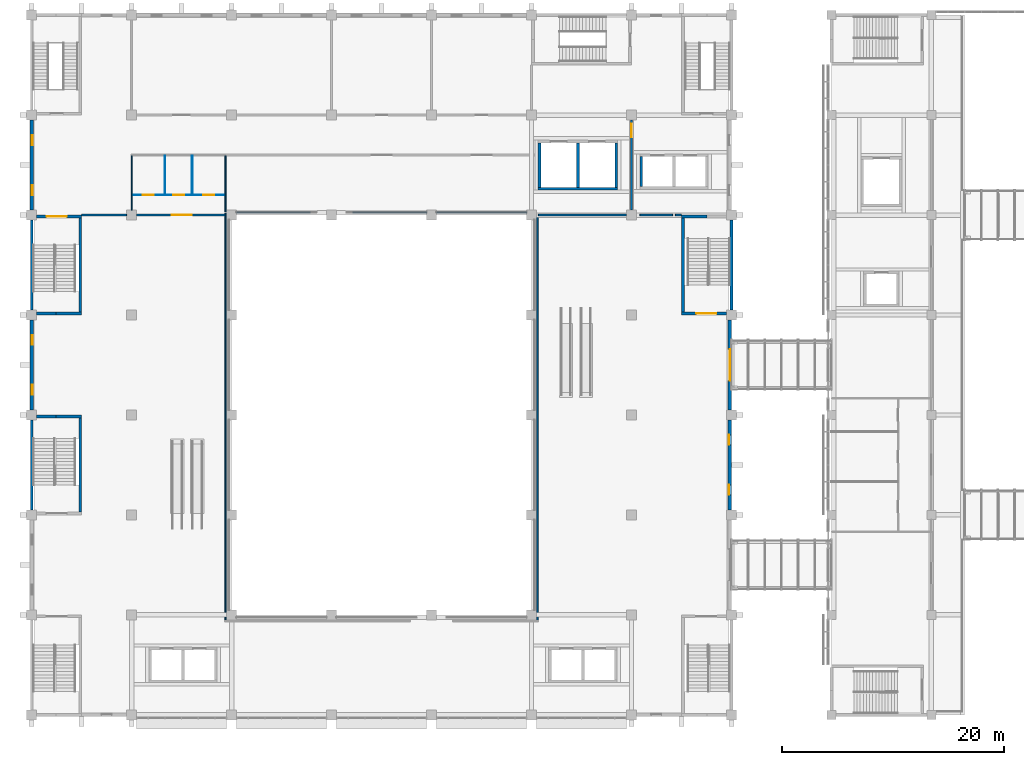
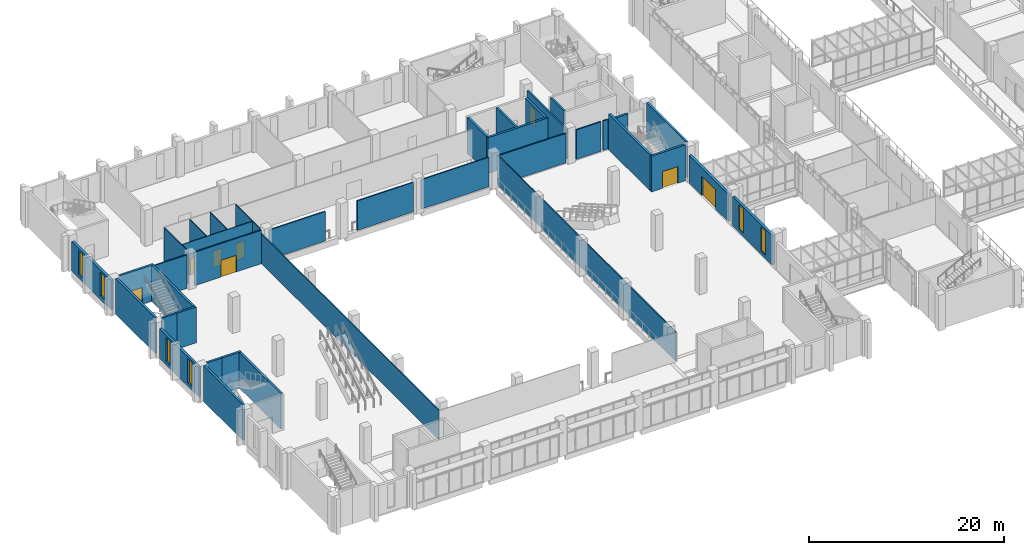
# One storey, part 59 of 88: 38 walls, 8 doors, 6 windows, 14 openings.
"""IFC4 building model written with IfcOpenShell, lengths in metres."""

from ifc_helpers import new_model, si_unit, direction, frame, frame_2d, origin, place, context, subcontext, project, spatial, rectangle, extrude, material, layer, layer_set, type_object, element, fill, save


model = new_model("IFC4")

# Units and contexts
model_context = context("Model", 3, precision=1e-05, world=origin(), true_north=direction((0.0, 1.0)))
body_context = subcontext(model_context, "Body", "Model", "MODEL_VIEW")
ifc_project = project(units=[si_unit("LENGTHUNIT", "METRE"), si_unit("AREAUNIT", "SQUARE_METRE"), si_unit("VOLUMEUNIT", "CUBIC_METRE"), si_unit("PLANEANGLEUNIT", "RADIAN"), si_unit("MASSUNIT", "GRAM", prefix="KILO")], contexts=[model_context])

# Site, building, storey
site_placement = place(None, origin())
site = spatial("IfcSite", under=ifc_project, at=site_placement, CompositionType="ELEMENT")
building_placement = place(site_placement, origin())
building = spatial("IfcBuilding", under=site, at=building_placement, Name="Guidao Yard Department Store", CompositionType="ELEMENT")
storey_placement = place(building_placement, frame((0.0, 0.0, 6.0)))
storey = spatial("IfcBuildingStorey", under=building, at=storey_placement, Name="L01", CompositionType="ELEMENT", Elevation=6.0)

# Wall, openings, doors
ifc_material_1 = material(Name="Moisture-resistant board on Steel Q235 studs", Category="steel")
ifc_layer_1 = layer(ifc_material_1, 0.080078125)
ifc_layer_set_1 = layer_set([ifc_layer_1], Name="Cubicle and Duct Partition P8 80 mm moisture-resistant board")
wall_type_1 = type_object("IfcWallType", Name="Cubicle and Duct Partition P8 80 mm moisture-resistant board", PredefinedType="PARTITIONING", material=ifc_layer_set_1)
wall_1_placement = place(storey_placement, frame((9.050048828125, 91.800048828125, 0.0), z_axis=(0.0, 0.0, 1.0), x_axis=(1.0, 0.0, 0.0)))
wall_1 = element("IfcWall", 1, at=wall_1_placement, inside=storey, type_object=wall_type_1, Name="Wall W-HL01-016", PredefinedType="PARTITIONING", context=body_context, shape_type="SweptSolid", body=[
    extrude(rectangle(XDim=8.349853515625, YDim=0.080078125, at=frame_2d((4.1748046875, 0.0))), origin(), (0.0, 0.0, 1.0), 4.199951171875),
])
opening_1_placement = place(wall_1_placement, frame((0.949951171875, 0.0, 0.0)))
opening_1 = element("IfcOpeningElement", 2, at=opening_1_placement, cuts=wall_1, Name="Opening HL01-002", PredefinedType="OPENING", context=body_context, shape_type="SweptSolid", body=[
    extrude(rectangle(XDim=1.0, YDim=2.10009765625, at=frame_2d((0.5, 1.050048828125))), frame((0.0, 0.050048828125, 0.0), z_axis=(0.0, -1.0, 0.0), x_axis=(1.0, 0.0, 0.0)), (0.0, 0.0, 1.0), 0.10009765625),
])
opening_2_placement = place(wall_1_placement, frame((3.675048828125, 0.0, 0.0)))
opening_2 = element("IfcOpeningElement", 3, at=opening_2_placement, cuts=wall_1, Name="Opening HL01-003", PredefinedType="OPENING", context=body_context, shape_type="SweptSolid", body=[
    extrude(rectangle(XDim=1.0, YDim=2.10009765625, at=frame_2d((0.5, 1.050048828125))), frame((0.0, 0.050048828125, 0.0), z_axis=(0.0, -1.0, 0.0), x_axis=(1.0, 0.0, 0.0)), (0.0, 0.0, 1.0), 0.10009765625),
])
opening_3_placement = place(wall_1_placement, frame((6.39990234375, 0.0, 0.0)))
opening_3 = element("IfcOpeningElement", 4, at=opening_3_placement, cuts=wall_1, Name="Opening HL01-004", PredefinedType="OPENING", context=body_context, shape_type="SweptSolid", body=[
    extrude(rectangle(XDim=1.0, YDim=2.10009765625, at=frame_2d((0.5, 1.050048828125))), frame((0.0, 0.050048828125, 0.0), z_axis=(0.0, -1.0, 0.0), x_axis=(1.0, 0.0, 0.0)), (0.0, 0.0, 1.0), 0.10009765625),
])
ifc_material_2 = material(Name="Timber door leaf", Category="wood")
door_type_1 = type_object("IfcDoorType", Name="Door AD10 accessible WC 1000 x 2100", OperationType="SINGLE_SWING_LEFT", PredefinedType="DOOR", material=ifc_material_2)
door_1_placement = place(opening_2_placement, origin())
door_1 = element("IfcDoor", 5, at=door_1_placement, inside=storey, type_object=door_type_1, Name="Door HL01-003", OperationType="SINGLE_SWING_LEFT", OverallHeight=2.10009765625, OverallWidth=1.0, PredefinedType="DOOR", context=body_context, shape_type="SweptSolid", body=[
    extrude(rectangle(XDim=1.0, YDim=2.10009765625, at=frame_2d((0.5, 1.050048828125))), frame((0.0, 0.02490234375, 0.0), z_axis=(0.0, -1.0, 0.0), x_axis=(1.0, 0.0, 0.0)), (0.0, 0.0, 1.0), 0.050048828125),
])
fill(opening_2, door_1)
ifc_material_3 = material(Name="Timber door leaf", Category="wood")
door_type_2 = type_object("IfcDoorType", Name="Door D2 1000 x 2100", OperationType="SINGLE_SWING_LEFT", PredefinedType="DOOR", material=ifc_material_3)
door_2_placement = place(opening_1_placement, origin())
door_2 = element("IfcDoor", 6, at=door_2_placement, inside=storey, type_object=door_type_2, Name="Door HL01-002", OperationType="SINGLE_SWING_LEFT", OverallHeight=2.10009765625, OverallWidth=1.0, PredefinedType="DOOR", context=body_context, shape_type="SweptSolid", body=[
    extrude(rectangle(XDim=1.0, YDim=2.10009765625, at=frame_2d((0.5, 1.050048828125))), frame((0.0, 0.02490234375, 0.0), z_axis=(0.0, -1.0, 0.0), x_axis=(1.0, 0.0, 0.0)), (0.0, 0.0, 1.0), 0.050048828125),
])
fill(opening_1, door_2)
door_3_placement = place(opening_3_placement, origin())
door_3 = element("IfcDoor", 7, at=door_3_placement, inside=storey, type_object=door_type_2, Name="Door HL01-004", OperationType="SINGLE_SWING_RIGHT", OverallHeight=2.10009765625, OverallWidth=1.0, PredefinedType="DOOR", context=body_context, shape_type="SweptSolid", body=[
    extrude(rectangle(XDim=1.0, YDim=2.10009765625, at=frame_2d((0.5, 1.050048828125))), frame((0.0, 0.02490234375, 0.0), z_axis=(0.0, -1.0, 0.0), x_axis=(1.0, 0.0, 0.0)), (0.0, 0.0, 1.0), 0.050048828125),
])
fill(opening_3, door_3)

# Walls
for number, where, z_axis, x_axis, name in (
    (8, (12.0, 91.840087890625, 0.0), (0.0, 0.0, 1.0), (0.0, 1.0, 0.0), "Wall W-HL01-017"),
    (9, (14.449951171875, 91.840087890625, 0.0), (0.0, 0.0, 1.0), (0.0, 1.0, 0.0), "Wall W-HL01-018"),
):
    element("IfcWall", number, at=place(storey_placement, frame(where, z_axis=z_axis, x_axis=x_axis)), inside=storey, type_object=wall_type_1, Name=name, PredefinedType="PARTITIONING", context=body_context, shape_type="SweptSolid", body=[
        extrude(rectangle(XDim=3.510009765625, YDim=0.080078125, at=frame_2d((1.7548828125, 0.0))), origin(), (0.0, 0.0, 1.0), 4.199951171875),
    ])

# Wall, opening, door
ifc_material_4 = material(Name="Concrete block MU10", Category="concrete")
ifc_layer_2 = layer(ifc_material_4, 0.199951171875)
ifc_layer_set_2 = layer_set([ifc_layer_2], Name="Fire Wall P3 200 mm blockwork EI 120")
wall_type_2 = type_object("IfcWallType", Name="Fire Wall P3 200 mm blockwork EI 120", PredefinedType="PARTITIONING", material=ifc_layer_set_2)
wall_2_placement = place(storey_placement, frame((54.0, 90.449951171875, 0.0), z_axis=(0.0, 0.0, 1.0), x_axis=(0.0, 1.0, 0.0)))
wall_2 = element("IfcWall", 10, at=wall_2_placement, inside=storey, type_object=wall_type_2, Name="Wall W-HL01-015", PredefinedType="PARTITIONING", context=body_context, shape_type="SweptSolid", body=[
    extrude(rectangle(XDim=8.10009765625, YDim=0.199951171875, at=frame_2d((4.050048828125, 0.0))), origin(), (0.0, 0.0, 1.0), 3.699951171875),
])
opening_4_placement = place(wall_2_placement, frame((7.75, 0.0, 0.0), z_axis=(0.0, 0.0, 1.0), x_axis=(-1.0, 0.0, 0.0)))
opening_4 = element("IfcOpeningElement", 11, at=opening_4_placement, cuts=wall_2, Name="Opening HL01-007", PredefinedType="OPENING", context=body_context, shape_type="SweptSolid", body=[
    extrude(rectangle(XDim=1.199951171875, YDim=2.10009765625, at=frame_2d((0.60009765625, 1.050048828125))), frame((0.0, 0.10986328125, 0.0), z_axis=(0.0, -1.0, 0.0), x_axis=(1.0, 0.0, 0.0)), (0.0, 0.0, 1.0), 0.219970703125),
])
ifc_material_5 = material(Name="Steel Q235", Category="steel")
door_type_3 = type_object("IfcDoorType", Name="Door FD21 lobby 1200 x 2100 FD90 self-closing", OperationType="SINGLE_SWING_LEFT", PredefinedType="DOOR", material=ifc_material_5)
door_4_placement = place(opening_4_placement, origin())
door_4 = element("IfcDoor", 12, at=door_4_placement, inside=storey, type_object=door_type_3, Name="Door HL01-007", OperationType="SINGLE_SWING_LEFT", OverallHeight=2.10009765625, OverallWidth=1.199951171875, PredefinedType="DOOR", context=body_context, shape_type="SweptSolid", body=[
    extrude(rectangle(XDim=1.199951171875, YDim=2.10009765625, at=frame_2d((0.60009765625, 1.050048828125))), frame((0.0, 0.02490234375, 0.0), z_axis=(0.0, -1.0, 0.0), x_axis=(1.0, 0.0, 0.0)), (0.0, 0.0, 1.0), 0.050048828125),
])
fill(opening_4, door_4)

# Walls
ifc_material_6 = material(Name="Fire-rated glazing in Steel Q235 frame", Category="steel")
ifc_layer_3 = layer(ifc_material_6, 0.1201171875)
ifc_layer_set_3 = layer_set([ifc_layer_3], Name="Fire-Glazed Screen P5 120 mm EI 60")
wall_type_3 = type_object("IfcWallType", Name="Fire-Glazed Screen P5 120 mm EI 60", PredefinedType="PARTITIONING", material=ifc_layer_set_3)
for number, where, z_axis, x_axis, name in (
    (13, (17.449951171875, 53.510009765625, 0.0), (0.0, 0.0, 1.0), (0.0, 1.0, 0.0), "Wall W-HL01-003"),
    (14, (45.550048828125, 53.510009765625, 0.0), (0.0, 0.0, 1.0), (0.0, 1.0, 0.0), "Wall W-HL01-004"),
):
    element("IfcWall", number, at=place(storey_placement, frame(where, z_axis=z_axis, x_axis=x_axis)), inside=storey, type_object=wall_type_3, Name=name, PredefinedType="PARTITIONING", context=body_context, shape_type="SweptSolid", body=[
        extrude(rectangle(XDim=36.655029296875, YDim=0.1201171875, at=frame_2d((18.32763671875, 0.0))), origin(), (0.0, 0.0, 1.0), 3.699951171875),
    ])
for number, where, z_axis, x_axis, name in (
    (15, (18.449951171875, 90.22509765625, 0.0), (0.0, 0.0, 1.0), (1.0, 0.0, 0.0), "Wall W-HL01-010"),
    (16, (28.89990234375, 90.22509765625, 0.0), (0.0, 0.0, 1.0), (1.0, 0.0, 0.0), "Wall W-HL01-011"),
):
    element("IfcWall", number, at=place(storey_placement, frame(where, z_axis=z_axis, x_axis=x_axis)), inside=storey, type_object=wall_type_3, Name=name, PredefinedType="PARTITIONING", context=body_context, shape_type="SweptSolid", body=[
        extrude(rectangle(XDim=6.650146484375, YDim=0.1201171875, at=frame_2d((3.3251953125, 0.0))), origin(), (0.0, 0.0, 1.0), 3.699951171875),
    ])
wall_3_placement = place(storey_placement, frame((36.449951171875, 90.22509765625, 0.0), z_axis=(0.0, 0.0, 1.0), x_axis=(1.0, 0.0, 0.0)))
element("IfcWall", 17, at=wall_3_placement, inside=storey, type_object=wall_type_3, Name="Wall W-HL01-012", PredefinedType="PARTITIONING", context=body_context, shape_type="SweptSolid", body=[
    extrude(rectangle(XDim=8.10009765625, YDim=0.1201171875, at=frame_2d((4.050048828125, 0.0))), origin(), (0.0, 0.0, 1.0), 3.699951171875),
])

# Wall, openings, windows
ifc_material_7 = material(Name="Concrete C35", Category="concrete")
ifc_layer_4 = layer(ifc_material_7, 0.300048828125)
ifc_layer_set_4 = layer_set([ifc_layer_4], Name="Hall facade wall 300 C35")
wall_type_4 = type_object("IfcWallType", Name="Hall facade wall 300 C35", PredefinedType="SOLIDWALL", material=ifc_layer_set_4)
wall_4_placement = place(storey_placement, frame((0.0, 72.449951171875, 0.0), z_axis=(0.0, 0.0, 1.0), x_axis=(0.0, 1.0, 0.0)))
wall_4 = element("IfcWall", 18, at=wall_4_placement, inside=storey, type_object=wall_type_4, Name="Hall facade wall", PredefinedType="SOLIDWALL", context=body_context, shape_type="SweptSolid", body=[
    extrude(rectangle(XDim=8.10009765625, YDim=0.300048828125, at=frame_2d((4.050048828125, 0.0))), origin(), (0.0, 0.0, 1.0), 3.699951171875),
])
opening_5_placement = place(wall_4_placement, frame((1.35009765625, 0.0, 0.449951171875)))
opening_5 = element("IfcOpeningElement", 19, at=opening_5_placement, cuts=wall_4, Name="Opening WN-L01-E05", PredefinedType="OPENING", context=body_context, shape_type="SweptSolid", body=[
    extrude(rectangle(XDim=0.89990234375, YDim=3.0, at=frame_2d((0.449951171875, 1.5))), frame((0.0, 0.159912109375, 0.0), z_axis=(0.0, -1.0, 0.0), x_axis=(1.0, 0.0, 0.0)), (0.0, 0.0, 1.0), 0.320068359375),
])
opening_6_placement = place(wall_4_placement, frame((5.85009765625, 0.0, 0.449951171875)))
opening_6 = element("IfcOpeningElement", 20, at=opening_6_placement, cuts=wall_4, Name="Opening WN-L01-E06", PredefinedType="OPENING", context=body_context, shape_type="SweptSolid", body=[
    extrude(rectangle(XDim=0.89990234375, YDim=3.0, at=frame_2d((0.449951171875, 1.5))), frame((0.0, 0.159912109375, 0.0), z_axis=(0.0, -1.0, 0.0), x_axis=(1.0, 0.0, 0.0)), (0.0, 0.0, 1.0), 0.320068359375),
])
ifc_material_8 = material(Name="Laminated glass in aluminium frame", Category="aluminium")
window_type = type_object("IfcWindowType", Name="Slot window SL1 900 x 3000 fixed", PartitioningType="SINGLE_PANEL", PredefinedType="WINDOW", material=ifc_material_8)
window_1_placement = place(opening_5_placement, origin())
window_1 = element("IfcWindow", 21, at=window_1_placement, inside=storey, type_object=window_type, Name="Slot window", OverallHeight=3.0, OverallWidth=0.89990234375, PartitioningType="SINGLE_PANEL", PredefinedType="WINDOW", context=body_context, shape_type="SweptSolid", body=[
    extrude(rectangle(XDim=0.89990234375, YDim=3.0, at=frame_2d((0.449951171875, 1.5))), frame((0.0, -0.030029296875, 0.0), z_axis=(0.0, -1.0, 0.0), x_axis=(1.0, 0.0, 0.0)), (0.0, 0.0, 1.0), 0.06005859375),
])
fill(opening_5, window_1)
window_2_placement = place(opening_6_placement, origin())
window_2 = element("IfcWindow", 22, at=window_2_placement, inside=storey, type_object=window_type, Name="Slot window", OverallHeight=3.0, OverallWidth=0.89990234375, PartitioningType="SINGLE_PANEL", PredefinedType="WINDOW", context=body_context, shape_type="SweptSolid", body=[
    extrude(rectangle(XDim=0.89990234375, YDim=3.0, at=frame_2d((0.449951171875, 1.5))), frame((0.0, -0.030029296875, 0.0), z_axis=(0.0, -1.0, 0.0), x_axis=(1.0, 0.0, 0.0)), (0.0, 0.0, 1.0), 0.06005859375),
])
fill(opening_6, window_2)

wall_5_placement = place(storey_placement, frame((0.0, 90.449951171875, 0.0), z_axis=(0.0, 0.0, 1.0), x_axis=(0.0, 1.0, 0.0)))
wall_5 = element("IfcWall", 23, at=wall_5_placement, inside=storey, type_object=wall_type_4, Name="Hall facade wall", PredefinedType="SOLIDWALL", context=body_context, shape_type="SweptSolid", body=[
    extrude(rectangle(XDim=8.10009765625, YDim=0.300048828125, at=frame_2d((4.050048828125, 0.0))), origin(), (0.0, 0.0, 1.0), 3.699951171875),
])
opening_7_placement = place(wall_5_placement, frame((1.35009765625, 0.0, 0.449951171875)))
opening_7 = element("IfcOpeningElement", 24, at=opening_7_placement, cuts=wall_5, Name="Opening WN-L01-E07", PredefinedType="OPENING", context=body_context, shape_type="SweptSolid", body=[
    extrude(rectangle(XDim=0.89990234375, YDim=3.0, at=frame_2d((0.449951171875, 1.5))), frame((0.0, 0.159912109375, 0.0), z_axis=(0.0, -1.0, 0.0), x_axis=(1.0, 0.0, 0.0)), (0.0, 0.0, 1.0), 0.320068359375),
])
opening_8_placement = place(wall_5_placement, frame((5.85009765625, 0.0, 0.449951171875)))
opening_8 = element("IfcOpeningElement", 25, at=opening_8_placement, cuts=wall_5, Name="Opening WN-L01-E08", PredefinedType="OPENING", context=body_context, shape_type="SweptSolid", body=[
    extrude(rectangle(XDim=0.89990234375, YDim=3.0, at=frame_2d((0.449951171875, 1.5))), frame((0.0, 0.159912109375, 0.0), z_axis=(0.0, -1.0, 0.0), x_axis=(1.0, 0.0, 0.0)), (0.0, 0.0, 1.0), 0.320068359375),
])
window_3_placement = place(opening_7_placement, origin())
window_3 = element("IfcWindow", 26, at=window_3_placement, inside=storey, type_object=window_type, Name="Slot window", OverallHeight=3.0, OverallWidth=0.89990234375, PartitioningType="SINGLE_PANEL", PredefinedType="WINDOW", context=body_context, shape_type="SweptSolid", body=[
    extrude(rectangle(XDim=0.89990234375, YDim=3.0, at=frame_2d((0.449951171875, 1.5))), frame((0.0, -0.030029296875, 0.0), z_axis=(0.0, -1.0, 0.0), x_axis=(1.0, 0.0, 0.0)), (0.0, 0.0, 1.0), 0.06005859375),
])
fill(opening_7, window_3)
window_4_placement = place(opening_8_placement, origin())
window_4 = element("IfcWindow", 27, at=window_4_placement, inside=storey, type_object=window_type, Name="Slot window", OverallHeight=3.0, OverallWidth=0.89990234375, PartitioningType="SINGLE_PANEL", PredefinedType="WINDOW", context=body_context, shape_type="SweptSolid", body=[
    extrude(rectangle(XDim=0.89990234375, YDim=3.0, at=frame_2d((0.449951171875, 1.5))), frame((0.0, -0.030029296875, 0.0), z_axis=(0.0, -1.0, 0.0), x_axis=(1.0, 0.0, 0.0)), (0.0, 0.0, 1.0), 0.06005859375),
])
fill(opening_8, window_4)

wall_6_placement = place(storey_placement, frame((62.85009765625, 71.550048828125, 0.0), z_axis=(0.0, 0.0, 1.0), x_axis=(0.0, -1.0, 0.0)))
wall_6 = element("IfcWall", 28, at=wall_6_placement, inside=storey, type_object=wall_type_4, Name="Hall facade wall", PredefinedType="SOLIDWALL", context=body_context, shape_type="SweptSolid", body=[
    extrude(rectangle(XDim=8.10009765625, YDim=0.300048828125, at=frame_2d((4.050048828125, 0.0))), origin(), (0.0, 0.0, 1.0), 3.699951171875),
])
opening_9_placement = place(wall_6_placement, frame((5.85009765625, 0.0, 0.449951171875)))
opening_9 = element("IfcOpeningElement", 29, at=opening_9_placement, cuts=wall_6, Name="Opening WN-L01-E19", PredefinedType="OPENING", context=body_context, shape_type="SweptSolid", body=[
    extrude(rectangle(XDim=0.89990234375, YDim=3.0, at=frame_2d((0.449951171875, 1.5))), frame((0.0, 0.159912109375, 0.0), z_axis=(0.0, -1.0, 0.0), x_axis=(1.0, 0.0, 0.0)), (0.0, 0.0, 1.0), 0.320068359375),
])
opening_10_placement = place(wall_6_placement, frame((1.35009765625, 0.0, 0.449951171875)))
opening_10 = element("IfcOpeningElement", 30, at=opening_10_placement, cuts=wall_6, Name="Opening WN-L01-E20", PredefinedType="OPENING", context=body_context, shape_type="SweptSolid", body=[
    extrude(rectangle(XDim=0.89990234375, YDim=3.0, at=frame_2d((0.449951171875, 1.5))), frame((0.0, 0.159912109375, 0.0), z_axis=(0.0, -1.0, 0.0), x_axis=(1.0, 0.0, 0.0)), (0.0, 0.0, 1.0), 0.320068359375),
])
window_5_placement = place(opening_9_placement, origin())
window_5 = element("IfcWindow", 31, at=window_5_placement, inside=storey, type_object=window_type, Name="Slot window", OverallHeight=3.0, OverallWidth=0.89990234375, PartitioningType="SINGLE_PANEL", PredefinedType="WINDOW", context=body_context, shape_type="SweptSolid", body=[
    extrude(rectangle(XDim=0.89990234375, YDim=3.0, at=frame_2d((0.449951171875, 1.5))), frame((0.0, -0.030029296875, 0.0), z_axis=(0.0, -1.0, 0.0), x_axis=(1.0, 0.0, 0.0)), (0.0, 0.0, 1.0), 0.06005859375),
])
fill(opening_9, window_5)
window_6_placement = place(opening_10_placement, origin())
window_6 = element("IfcWindow", 32, at=window_6_placement, inside=storey, type_object=window_type, Name="Slot window", OverallHeight=3.0, OverallWidth=0.89990234375, PartitioningType="SINGLE_PANEL", PredefinedType="WINDOW", context=body_context, shape_type="SweptSolid", body=[
    extrude(rectangle(XDim=0.89990234375, YDim=3.0, at=frame_2d((0.449951171875, 1.5))), frame((0.0, -0.030029296875, 0.0), z_axis=(0.0, -1.0, 0.0), x_axis=(1.0, 0.0, 0.0)), (0.0, 0.0, 1.0), 0.06005859375),
])
fill(opening_10, window_6)

# Wall, opening, door
wall_7_placement = place(storey_placement, frame((62.85009765625, 80.550048828125, 0.0), z_axis=(0.0, 0.0, 1.0), x_axis=(0.0, -1.0, 0.0)))
wall_7 = element("IfcWall", 33, at=wall_7_placement, inside=storey, type_object=wall_type_4, Name="Hall facade wall", PredefinedType="SOLIDWALL", context=body_context, shape_type="SweptSolid", body=[
    extrude(rectangle(XDim=8.10009765625, YDim=0.300048828125, at=frame_2d((4.050048828125, 0.0))), origin(), (0.0, 0.0, 1.0), 3.449951171875),
])
opening_11_placement = place(wall_7_placement, frame((2.64990234375, 0.0, 0.0)))
opening_11 = element("IfcOpeningElement", 34, at=opening_11_placement, cuts=wall_7, Name="Opening L01-851", PredefinedType="OPENING", context=body_context, shape_type="SweptSolid", body=[
    extrude(rectangle(XDim=2.800048828125, YDim=2.39990234375, at=frame_2d((1.39990234375, 1.199951171875))), frame((0.0, 0.159912109375, 0.0), z_axis=(0.0, -1.0, 0.0), x_axis=(1.0, 0.0, 0.0)), (0.0, 0.0, 1.0), 0.320068359375),
])
ifc_material_9 = material(Name="Fire-resistant glass in steel frame", Category="steel")
door_type_4 = type_object("IfcDoorType", Name="Bridge door BD1 2800 x 2400 fire-rated glazed double leaf", OperationType="DOUBLE_DOOR_SINGLE_SWING", PredefinedType="DOOR", material=ifc_material_9)
door_5_placement = place(opening_11_placement, origin())
door_5 = element("IfcDoor", 35, at=door_5_placement, inside=storey, type_object=door_type_4, Name="Bridge door BR02", OperationType="DOUBLE_DOOR_SINGLE_SWING", OverallHeight=2.39990234375, OverallWidth=2.800048828125, PredefinedType="DOOR", context=body_context, shape_type="SweptSolid", body=[
    extrude(rectangle(XDim=2.800048828125, YDim=2.39990234375, at=frame_2d((1.39990234375, 1.199951171875))), frame((0.0, 0.02490234375, 0.0), z_axis=(0.0, -1.0, 0.0), x_axis=(1.0, 0.0, 0.0)), (0.0, 0.0, 1.0), 0.050048828125),
])
fill(opening_11, door_5)

# Walls
ifc_material_10 = material(Name="Gypsum board on Steel Q235 studs", Category="steel")
ifc_layer_5 = layer(ifc_material_10, 0.10009765625)
ifc_layer_set_5 = layer_set([ifc_layer_5], Name="Partition P1 100 mm gypsum board EI 30")
wall_type_5 = type_object("IfcWallType", Name="Partition P1 100 mm gypsum board EI 30", PredefinedType="PARTITIONING", material=ifc_layer_set_5)
wall_8_placement = place(storey_placement, frame((17.449951171875, 90.284912109375, 0.0), z_axis=(0.0, 0.0, 1.0), x_axis=(0.0, 1.0, 0.0)))
element("IfcWall", 36, at=wall_8_placement, inside=storey, type_object=wall_type_5, Name="Wall W-HL01-013", PredefinedType="PARTITIONING", context=body_context, shape_type="SweptSolid", body=[
    extrude(rectangle(XDim=5.0400390625, YDim=0.10009765625, at=frame_2d((2.52001953125, 0.0))), origin(), (0.0, 0.0, 1.0), 4.199951171875),
])
wall_9_placement = place(storey_placement, frame((9.0, 90.449951171875, 0.0), z_axis=(0.0, 0.0, 1.0), x_axis=(0.0, 1.0, 0.0)))
element("IfcWall", 37, at=wall_9_placement, inside=storey, type_object=wall_type_5, Name="Wall W-HL01-014", PredefinedType="PARTITIONING", context=body_context, shape_type="SweptSolid", body=[
    extrude(rectangle(XDim=4.900146484375, YDim=0.10009765625, at=frame_2d((2.4501953125, 0.0))), origin(), (0.0, 0.0, 1.0), 4.199951171875),
])
ifc_material_11 = material(Name="Concrete block MU10", Category="concrete")
ifc_layer_6 = layer(ifc_material_11, 0.14990234375)
ifc_layer_set_6 = layer_set([ifc_layer_6], Name="Wall P2 150 mm blockwork EI 60")
wall_type_6 = type_object("IfcWallType", Name="Wall P2 150 mm blockwork EI 60", PredefinedType="PARTITIONING", material=ifc_layer_set_6)
wall_10_placement = place(storey_placement, frame((4.5, 90.0, 0.0), z_axis=(0.0, 0.0, 1.0), x_axis=(1.0, 0.0, 0.0)))
element("IfcWall", 38, at=wall_10_placement, inside=storey, type_object=wall_type_6, Name="Wall W-HL01-005", PredefinedType="PARTITIONING", context=body_context, shape_type="SweptSolid", body=[
    extrude(rectangle(XDim=4.050048828125, YDim=0.14990234375, at=frame_2d((2.02490234375, 0.0))), origin(), (0.0, 0.0, 1.0), 4.199951171875),
])

# Wall, opening, door
wall_11_placement = place(storey_placement, frame((9.449951171875, 90.0, 0.0), z_axis=(0.0, 0.0, 1.0), x_axis=(1.0, 0.0, 0.0)))
wall_11 = element("IfcWall", 39, at=wall_11_placement, inside=storey, type_object=wall_type_6, Name="Wall W-HL01-006", PredefinedType="PARTITIONING", context=body_context, shape_type="SweptSolid", body=[
    extrude(rectangle(XDim=7.93994140625, YDim=0.14990234375, at=frame_2d((3.969970703125, 0.0))), origin(), (0.0, 0.0, 1.0), 4.199951171875),
])
opening_12_placement = place(wall_11_placement, frame((4.949951171875, 0.0, 0.0), z_axis=(0.0, 0.0, 1.0), x_axis=(-1.0, 0.0, 0.0)))
opening_12 = element("IfcOpeningElement", 40, at=opening_12_placement, cuts=wall_11, Name="Opening HL01-001", PredefinedType="OPENING", context=body_context, shape_type="SweptSolid", body=[
    extrude(rectangle(XDim=1.800048828125, YDim=2.10009765625, at=frame_2d((0.89990234375, 1.050048828125))), frame((0.0, 0.0849609375, 0.0), z_axis=(0.0, -1.0, 0.0), x_axis=(1.0, 0.0, 0.0)), (0.0, 0.0, 1.0), 0.169921875),
])
ifc_material_12 = material(Name="Timber door leaf", Category="wood")
door_type_5 = type_object("IfcDoorType", Name="Door D3 double 1800 x 2100", OperationType="DOUBLE_DOOR_SINGLE_SWING", PredefinedType="DOOR", material=ifc_material_12)
door_6_placement = place(opening_12_placement, origin())
door_6 = element("IfcDoor", 41, at=door_6_placement, inside=storey, type_object=door_type_5, Name="Door HL01-001", OperationType="DOUBLE_DOOR_SINGLE_SWING", OverallHeight=2.10009765625, OverallWidth=1.800048828125, PredefinedType="DOOR", context=body_context, shape_type="SweptSolid", body=[
    extrude(rectangle(XDim=1.800048828125, YDim=2.10009765625, at=frame_2d((0.89990234375, 1.050048828125))), frame((0.0, 0.02490234375, 0.0), z_axis=(0.0, -1.0, 0.0), x_axis=(1.0, 0.0, 0.0)), (0.0, 0.0, 1.0), 0.050048828125),
])
fill(opening_12, door_6)

# Walls
wall_12_placement = place(storey_placement, frame((45.610107421875, 90.0, 0.0), z_axis=(0.0, 0.0, 1.0), x_axis=(1.0, 0.0, 0.0)))
element("IfcWall", 42, at=wall_12_placement, inside=storey, type_object=wall_type_6, Name="Wall W-HL01-007", PredefinedType="PARTITIONING", context=body_context, shape_type="SweptSolid", body=[
    extrude(rectangle(XDim=7.93994140625, YDim=0.14990234375, at=frame_2d((3.969970703125, 0.0))), origin(), (0.0, 0.0, 1.0), 3.699951171875),
])
wall_13_placement = place(storey_placement, frame((54.75, 90.0, 0.0), z_axis=(0.0, 0.0, 1.0), x_axis=(1.0, 0.0, 0.0)))
element("IfcWall", 43, at=wall_13_placement, inside=storey, type_object=wall_type_6, Name="Wall W-HL01-008", PredefinedType="PARTITIONING", context=body_context, shape_type="SweptSolid", body=[
    extrude(rectangle(XDim=2.949951171875, YDim=0.14990234375, at=frame_2d((1.47509765625, 0.0))), origin(), (0.0, 0.0, 1.0), 3.699951171875),
])
wall_14_placement = place(storey_placement, frame((57.949951171875, 90.0, 0.0), z_axis=(0.0, 0.0, 1.0), x_axis=(1.0, 0.0, 0.0)))
element("IfcWall", 44, at=wall_14_placement, inside=storey, type_object=wall_type_6, Name="Wall W-HL01-009", PredefinedType="PARTITIONING", context=body_context, shape_type="SweptSolid", body=[
    extrude(rectangle(XDim=0.550048828125, YDim=0.14990234375, at=frame_2d((0.27490234375, 0.0))), origin(), (0.0, 0.0, 1.0), 3.699951171875),
])
ifc_material_13 = material(Name="Concrete C40", Category="concrete")
ifc_layer_7 = layer(ifc_material_13, 0.25)
ifc_layer_set_7 = layer_set([ifc_layer_7], Name="Wall RC 250 C40 stair and shaft")
wall_type_7 = type_object("IfcWallType", Name="Wall RC 250 C40 stair and shaft", PredefinedType="SHEAR", material=ifc_layer_set_7)
wall_15_placement = place(storey_placement, frame((0.449951171875, 71.875, 0.0), z_axis=(0.0, 0.0, 1.0), x_axis=(1.0, 0.0, 0.0)))
element("IfcWall", 45, at=wall_15_placement, inside=storey, type_object=wall_type_7, Name="Stair wall SA1", PredefinedType="SHEAR", context=body_context, shape_type="SweptSolid", body=[
    extrude(rectangle(XDim=1.738037109375, YDim=0.25, at=frame_2d((0.869140625, 0.0))), origin(), (0.0, 0.0, 1.0), 4.5),
])
wall_16_placement = place(storey_placement, frame((2.18798828125, 71.875, 0.0), z_axis=(0.0, 0.0, 1.0), x_axis=(1.0, 0.0, 0.0)))
element("IfcWall", 46, at=wall_16_placement, inside=storey, type_object=wall_type_7, Name="Stair wall SA1", PredefinedType="SHEAR", context=body_context, shape_type="SweptSolid", body=[
    extrude(rectangle(XDim=2.31201171875, YDim=0.25, at=frame_2d((1.156005859375, 0.0))), origin(), (0.0, 0.0, 1.0), 4.5),
])
wall_17_placement = place(storey_placement, frame((0.0, 63.449951171875, 0.0), z_axis=(0.0, 0.0, 1.0), x_axis=(0.0, 1.0, 0.0)))
element("IfcWall", 47, at=wall_17_placement, inside=storey, type_object=wall_type_7, Name="Stair wall SA1", PredefinedType="SHEAR", context=body_context, shape_type="SweptSolid", body=[
    extrude(rectangle(XDim=8.10009765625, YDim=0.25, at=frame_2d((4.050048828125, 0.0))), origin(), (0.0, 0.0, 1.0), 4.5),
])
wall_18_placement = place(storey_placement, frame((4.375, 63.25, 0.0), z_axis=(0.0, 0.0, 1.0), x_axis=(0.0, 1.0, 0.0)))
element("IfcWall", 48, at=wall_18_placement, inside=storey, type_object=wall_type_7, Name="Stair wall SA1", PredefinedType="SHEAR", context=body_context, shape_type="SweptSolid", body=[
    extrude(rectangle(XDim=8.5, YDim=0.25, at=frame_2d((4.25, 0.0))), origin(), (0.0, 0.0, 1.0), 4.5),
])
wall_19_placement = place(storey_placement, frame((0.449951171875, 81.125, 0.0), z_axis=(0.0, 0.0, 1.0), x_axis=(1.0, 0.0, 0.0)))
element("IfcWall", 49, at=wall_19_placement, inside=storey, type_object=wall_type_7, Name="Stair wall SA3", PredefinedType="SHEAR", context=body_context, shape_type="SweptSolid", body=[
    extrude(rectangle(XDim=1.738037109375, YDim=0.25, at=frame_2d((0.869140625, 0.0))), origin(), (0.0, 0.0, 1.0), 4.5),
])
wall_20_placement = place(storey_placement, frame((2.18798828125, 81.125, 0.0), z_axis=(0.0, 0.0, 1.0), x_axis=(1.0, 0.0, 0.0)))
element("IfcWall", 50, at=wall_20_placement, inside=storey, type_object=wall_type_7, Name="Stair wall SA3", PredefinedType="SHEAR", context=body_context, shape_type="SweptSolid", body=[
    extrude(rectangle(XDim=2.31201171875, YDim=0.25, at=frame_2d((1.156005859375, 0.0))), origin(), (0.0, 0.0, 1.0), 4.5),
])

# Wall, opening, door
wall_21_placement = place(storey_placement, frame((0.449951171875, 89.875, 0.0), z_axis=(0.0, 0.0, 1.0), x_axis=(1.0, 0.0, 0.0)))
wall_21 = element("IfcWall", 51, at=wall_21_placement, inside=storey, type_object=wall_type_7, Name="Stair wall SA3", PredefinedType="SHEAR", context=body_context, shape_type="SweptSolid", body=[
    extrude(rectangle(XDim=4.050048828125, YDim=0.25, at=frame_2d((2.02490234375, 0.0))), origin(), (0.0, 0.0, 1.0), 4.5),
])
opening_13_placement = place(wall_21_placement, frame((2.699951171875, 0.0, 0.0), z_axis=(0.0, 0.0, 1.0), x_axis=(-1.0, 0.0, 0.0)))
opening_13 = element("IfcOpeningElement", 52, at=opening_13_placement, cuts=wall_21, Name="Opening L01-802", PredefinedType="OPENING", context=body_context, shape_type="SweptSolid", body=[
    extrude(rectangle(XDim=1.800048828125, YDim=2.10009765625, at=frame_2d((0.89990234375, 1.050048828125))), frame((0.0, 0.135009765625, 0.0), z_axis=(0.0, -1.0, 0.0), x_axis=(1.0, 0.0, 0.0)), (0.0, 0.0, 1.0), 0.27001953125),
])
ifc_material_14 = material(Name="Steel Q235", Category="steel")
door_type_6 = type_object("IfcDoorType", Name="Door fire-resisting 1800 x 2100 FD60", OperationType="DOUBLE_DOOR_SINGLE_SWING", PredefinedType="DOOR", material=ifc_material_14)
door_7_placement = place(opening_13_placement, origin())
door_7 = element("IfcDoor", 53, at=door_7_placement, inside=storey, type_object=door_type_6, Name="Stair A3 door L01", OperationType="DOUBLE_DOOR_SINGLE_SWING", OverallHeight=2.10009765625, OverallWidth=1.800048828125, PredefinedType="DOOR", context=body_context, shape_type="SweptSolid", body=[
    extrude(rectangle(XDim=1.800048828125, YDim=2.10009765625, at=frame_2d((0.89990234375, 1.050048828125))), frame((0.0, 0.02490234375, 0.0), z_axis=(0.0, -1.0, 0.0), x_axis=(1.0, 0.0, 0.0)), (0.0, 0.0, 1.0), 0.050048828125),
])
fill(opening_13, door_7)

# Walls
wall_22_placement = place(storey_placement, frame((0.0, 81.449951171875, 0.0), z_axis=(0.0, 0.0, 1.0), x_axis=(0.0, 1.0, 0.0)))
element("IfcWall", 54, at=wall_22_placement, inside=storey, type_object=wall_type_7, Name="Stair wall SA3", PredefinedType="SHEAR", context=body_context, shape_type="SweptSolid", body=[
    extrude(rectangle(XDim=8.10009765625, YDim=0.25, at=frame_2d((4.050048828125, 0.0))), origin(), (0.0, 0.0, 1.0), 4.5),
])
wall_23_placement = place(storey_placement, frame((4.375, 81.25, 0.0), z_axis=(0.0, 0.0, 1.0), x_axis=(0.0, 1.0, 0.0)))
element("IfcWall", 55, at=wall_23_placement, inside=storey, type_object=wall_type_7, Name="Stair wall SA3", PredefinedType="SHEAR", context=body_context, shape_type="SweptSolid", body=[
    extrude(rectangle(XDim=8.5, YDim=0.25, at=frame_2d((4.25, 0.0))), origin(), (0.0, 0.0, 1.0), 4.5),
])

# Wall, opening, door
wall_24_placement = place(storey_placement, frame((58.5, 81.125, 0.0), z_axis=(0.0, 0.0, 1.0), x_axis=(1.0, 0.0, 0.0)))
wall_24 = element("IfcWall", 56, at=wall_24_placement, inside=storey, type_object=wall_type_7, Name="Stair wall SA4", PredefinedType="SHEAR", context=body_context, shape_type="SweptSolid", body=[
    extrude(rectangle(XDim=4.050048828125, YDim=0.25, at=frame_2d((2.02490234375, 0.0))), origin(), (0.0, 0.0, 1.0), 4.5),
])
opening_14_placement = place(wall_24_placement, frame((1.35009765625, 0.0, 0.0)))
opening_14 = element("IfcOpeningElement", 57, at=opening_14_placement, cuts=wall_24, Name="Opening L01-803", PredefinedType="OPENING", context=body_context, shape_type="SweptSolid", body=[
    extrude(rectangle(XDim=1.800048828125, YDim=2.10009765625, at=frame_2d((0.89990234375, 1.050048828125))), frame((0.0, 0.135009765625, 0.0), z_axis=(0.0, -1.0, 0.0), x_axis=(1.0, 0.0, 0.0)), (0.0, 0.0, 1.0), 0.27001953125),
])
door_8_placement = place(opening_14_placement, origin())
door_8 = element("IfcDoor", 58, at=door_8_placement, inside=storey, type_object=door_type_6, Name="Stair A4 door L01", OperationType="DOUBLE_DOOR_SINGLE_SWING", OverallHeight=2.10009765625, OverallWidth=1.800048828125, PredefinedType="DOOR", context=body_context, shape_type="SweptSolid", body=[
    extrude(rectangle(XDim=1.800048828125, YDim=2.10009765625, at=frame_2d((0.89990234375, 1.050048828125))), frame((0.0, 0.02490234375, 0.0), z_axis=(0.0, -1.0, 0.0), x_axis=(1.0, 0.0, 0.0)), (0.0, 0.0, 1.0), 0.050048828125),
])
fill(opening_14, door_8)

# Walls
wall_25_placement = place(storey_placement, frame((58.5, 89.875, 0.0), z_axis=(0.0, 0.0, 1.0), x_axis=(1.0, 0.0, 0.0)))
element("IfcWall", 59, at=wall_25_placement, inside=storey, type_object=wall_type_7, Name="Stair wall SA4", PredefinedType="SHEAR", context=body_context, shape_type="SweptSolid", body=[
    extrude(rectangle(XDim=2.31201171875, YDim=0.25, at=frame_2d((1.156005859375, 0.0))), origin(), (0.0, 0.0, 1.0), 3.699951171875),
])
wall_26_placement = place(storey_placement, frame((58.625, 81.25, 0.0), z_axis=(0.0, 0.0, 1.0), x_axis=(0.0, 1.0, 0.0)))
element("IfcWall", 60, at=wall_26_placement, inside=storey, type_object=wall_type_7, Name="Stair wall SA4", PredefinedType="SHEAR", context=body_context, shape_type="SweptSolid", body=[
    extrude(rectangle(XDim=8.5, YDim=0.25, at=frame_2d((4.25, 0.0))), origin(), (0.0, 0.0, 1.0), 4.5),
])
wall_27_placement = place(storey_placement, frame((63.0, 81.449951171875, 0.0), z_axis=(0.0, 0.0, 1.0), x_axis=(0.0, 1.0, 0.0)))
element("IfcWall", 61, at=wall_27_placement, inside=storey, type_object=wall_type_7, Name="Stair wall SA4", PredefinedType="SHEAR", context=body_context, shape_type="SweptSolid", body=[
    extrude(rectangle(XDim=8.10009765625, YDim=0.25, at=frame_2d((4.050048828125, 0.0))), origin(), (0.0, 0.0, 1.0), 4.5),
])
wall_28_placement = place(storey_placement, frame((45.60009765625, 92.375, 0.0), z_axis=(0.0, 0.0, 1.0), x_axis=(1.0, 0.0, 0.0)))
element("IfcWall", 62, at=wall_28_placement, inside=storey, type_object=wall_type_7, Name="Lift shaft wall HG1 to HG2", PredefinedType="SHEAR", context=body_context, shape_type="SweptSolid", body=[
    extrude(rectangle(XDim=7.14990234375, YDim=0.25, at=frame_2d((3.574951171875, 0.0))), origin(), (0.0, 0.0, 1.0), 4.5),
])
for number, where, z_axis, x_axis, name in (
    (63, (45.72509765625, 92.5, 0.0), (0.0, 0.0, 1.0), (0.0, 1.0, 0.0), "Lift shaft wall HG1 to HG2"),
    (64, (49.175048828125, 92.5, 0.0), (0.0, 0.0, 1.0), (0.0, 1.0, 0.0), "Lift shaft wall HG1 to HG2"),
    (65, (52.625, 92.5, 0.0), (0.0, 0.0, 1.0), (0.0, 1.0, 0.0), "Lift shaft wall HG1 to HG2"),
):
    element("IfcWall", number, at=place(storey_placement, frame(where, z_axis=z_axis, x_axis=x_axis)), inside=storey, type_object=wall_type_7, Name=name, PredefinedType="SHEAR", context=body_context, shape_type="SweptSolid", body=[
        extrude(rectangle(XDim=4.0, YDim=0.25, at=frame_2d((2.0, 0.0))), origin(), (0.0, 0.0, 1.0), 4.5),
    ])
wall_29_placement = place(storey_placement, frame((54.875, 92.550048828125, 0.0), z_axis=(0.0, 0.0, 1.0), x_axis=(0.0, 1.0, 0.0)))
element("IfcWall", 66, at=wall_29_placement, inside=storey, type_object=wall_type_7, Name="Lift shaft wall HF1 to HF2", PredefinedType="SHEAR", context=body_context, shape_type="SweptSolid", body=[
    extrude(rectangle(XDim=2.699951171875, YDim=0.25, at=frame_2d((1.35009765625, 0.0))), origin(), (0.0, 0.0, 1.0), 4.5),
])

save(model, "model.ifc")
